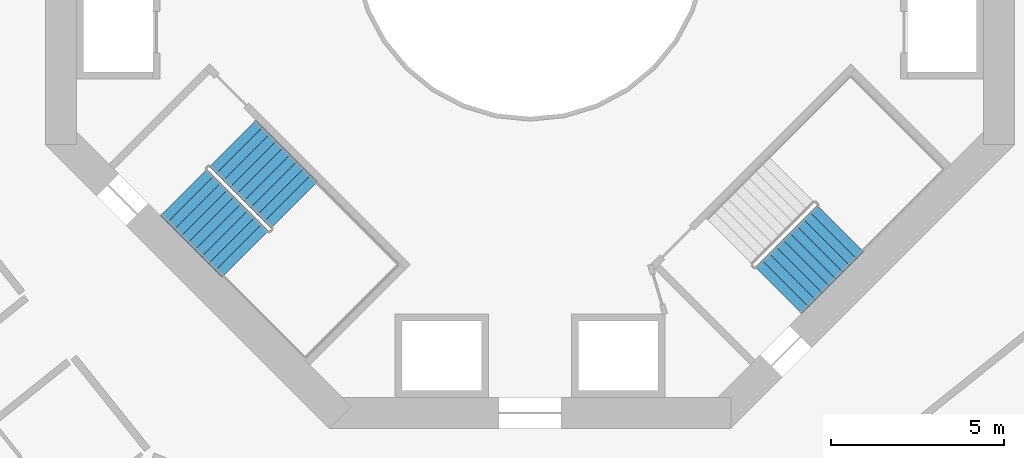
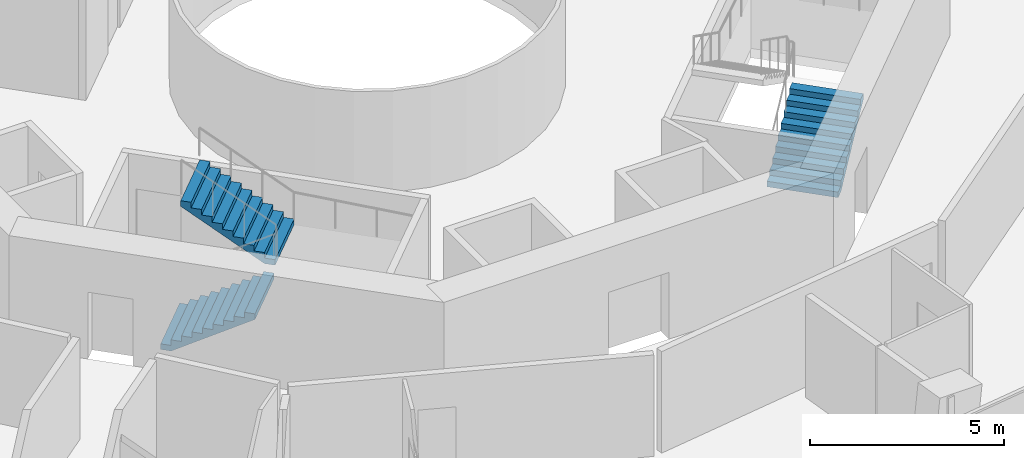
# One storey, part 26 of 28: 3 stair flights, 2 elements without a shape of their own.
"""IFC4 building model written with IfcOpenShell, lengths in metres."""

from ifc_helpers import new_model, si_unit, direction, frame, origin, place, context, subcontext, project, spatial, triangles, material, type_object, element, aggregate, save


model = new_model("IFC4")

# Units and contexts
model_context = context("Model", 3, precision=1e-05, world=origin(), true_north=direction((0.0, 1.0)))
body_context = subcontext(model_context, "Body", "Model", "MODEL_VIEW")
ifc_project = project(units=[si_unit("LENGTHUNIT", "METRE"), si_unit("AREAUNIT", "SQUARE_METRE"), si_unit("VOLUMEUNIT", "CUBIC_METRE"), si_unit("PLANEANGLEUNIT", "RADIAN"), si_unit("MASSUNIT", "GRAM", prefix="KILO")], contexts=[model_context])

# Site, building, storey
site_placement = place(None, origin())
site = spatial("IfcSite", under=ifc_project, at=site_placement, CompositionType="ELEMENT")
building_placement = place(site_placement, origin())
building = spatial("IfcBuilding", under=site, at=building_placement, Name="Verdalira Terraces Hotel", CompositionType="ELEMENT")
storey_placement = place(building_placement, frame((0.0, 0.0, 68.0)))
storey = spatial("IfcBuildingStorey", under=building, at=storey_placement, Name="L15", CompositionType="ELEMENT", Elevation=68.0)

# Stair, stair flights
ifc_material_1 = material(Name="Concrete C40", Category="concrete")
stair_type = type_object("IfcStairType", Name="Core stair 20 risers 1900 mm wide", PredefinedType="HALF_TURN_STAIR", material=ifc_material_1)
stair_1_placement = place(storey_placement, origin())
stair_1 = element("IfcStair", 1, at=stair_1_placement, inside=storey, type_object=stair_type, Name="L15 Exit stair ST2", PredefinedType="HALF_TURN_STAIR")
ifc_material_2 = material(Name="Concrete C40", Category="concrete")
stair_flight_type = type_object("IfcStairFlightType", Name="Core stair flight 20 risers 1900 mm wide", PredefinedType="STRAIGHT", material=ifc_material_2)
stair_flight_1_placement = place(storey_placement, frame((-10.005615, -7.177246, 0.0), z_axis=(0.0, 0.0, 1.0), x_axis=(0.707106781, -0.707106781, 0.0)))
stair_flight_1 = element("IfcStairFlight", 2, at=stair_flight_1_placement, type_object=stair_flight_type, Name="ST2 flight 1", NumberOfRisers=10, NumberOfTreads=9, PredefinedType="STRAIGHT", RiserHeight=0.175, TreadLength=0.28, context=body_context, shape_type="Tessellation", body=[
    triangles([(0.0, 0.949951, 0.0), (0.282715, 0.949951, 0.0), (2.52002, 0.949951, 1.398193), (0.0, -0.949951, 0.0), (0.282715, -0.949951, 0.0), (2.52002, -0.949951, 1.398193), (2.52002, 0.949951, 1.574951), (2.23999, 0.949951, 1.574951), (2.52002, -0.949951, 1.574951), (2.23999, -0.949951, 1.574951), (2.23999, 0.949951, 1.399902), (2.23999, -0.949951, 1.399902), (1.959961, 0.949951, 1.399902), (1.959961, -0.949951, 1.399902), (1.959961, 0.949951, 1.225098), (1.959961, -0.949951, 1.225098), (1.679932, 0.949951, 1.225098), (1.679932, 0.949951, 1.050049), (1.679932, -0.949951, 1.225098), (1.679932, -0.949951, 1.050049), (1.399902, 0.949951, 1.050049), (1.399902, 0.949951, 0.875), (1.399902, -0.949951, 1.050049), (1.399902, -0.949951, 0.875), (1.120117, 0.949951, 0.875), (1.120117, 0.949951, 0.699951), (1.120117, -0.949951, 0.875), (1.120117, -0.949951, 0.699951), (0.840088, 0.949951, 0.699951), (0.840088, 0.949951, 0.524902), (0.840088, -0.949951, 0.699951), (0.840088, -0.949951, 0.524902), (0.560059, 0.949951, 0.524902), (0.560059, 0.949951, 0.350098), (0.560059, -0.949951, 0.524902), (0.560059, -0.949951, 0.350098), (0.280029, 0.949951, 0.350098), (0.280029, 0.949951, 0.175049), (0.280029, -0.949951, 0.350098), (0.280029, -0.949951, 0.175049), (0.0, 0.949951, 0.175049), (0.0, -0.949951, 0.175049), (0.0, -0.890579, 0.0), (0.0, -0.890579, 0.175049), (0.0, -0.831207, 0.0), (0.0, -0.831207, 0.175049), (0.0, -0.771835, 0.0), (0.0, -0.771835, 0.175049), (0.0, -0.712463, 0.0), (0.0, -0.712463, 0.175049), (0.0, -0.653091, 0.0), (0.0, -0.653091, 0.175049), (0.0, -0.593719, 0.0), (0.0, -0.593719, 0.175049), (0.0, -0.534348, 0.0), (0.0, -0.534348, 0.175049), (0.0, -0.474976, 0.0), (0.0, -0.474976, 0.175049), (0.0, -0.415604, 0.0), (0.0, -0.415604, 0.175049), (0.0, -0.356232, 0.0), (0.0, -0.356232, 0.175049), (0.0, -0.29686, 0.0), (0.0, -0.29686, 0.175049), (0.0, -0.237488, 0.0), (0.0, -0.237488, 0.175049), (0.0, -0.178116, 0.0), (0.0, -0.178116, 0.175049), (0.0, -0.118744, 0.0), (0.0, -0.118744, 0.175049), (0.0, -0.059372, 0.0), (0.0, -0.059372, 0.175049), (0.0, 0.0, 0.0), (0.0, 0.0, 0.175049), (0.0, 0.059372, 0.0), (0.0, 0.059372, 0.175049), (0.0, 0.118744, 0.0), (0.0, 0.118744, 0.175049), (0.0, 0.178116, 0.0), (0.0, 0.178116, 0.175049), (0.0, 0.237488, 0.0), (0.0, 0.237488, 0.175049), (0.0, 0.29686, 0.0), (0.0, 0.29686, 0.175049), (0.0, 0.356232, 0.0), (0.0, 0.356232, 0.175049), (0.0, 0.415604, 0.0), (0.0, 0.415604, 0.175049), (0.0, 0.474976, 0.0), (0.0, 0.474976, 0.175049), (0.0, 0.534348, 0.0), (0.0, 0.534348, 0.175049), (0.0, 0.593719, 0.0), (0.0, 0.593719, 0.175049), (0.0, 0.653091, 0.0), (0.0, 0.653091, 0.175049), (0.0, 0.712463, 0.0), (0.0, 0.712463, 0.175049), (0.0, 0.771835, 0.0), (0.0, 0.771835, 0.175049), (0.0, 0.831207, 0.0), (0.0, 0.831207, 0.175049), (0.0, 0.890579, 0.0), (0.0, 0.890579, 0.175049), (2.52002, -0.890579, 1.574951), (2.52002, -0.831207, 1.574951), (2.52002, -0.771835, 1.574951), (2.52002, -0.712463, 1.574951), (2.52002, -0.653091, 1.574951), (2.52002, -0.593719, 1.574951), (2.52002, -0.534348, 1.574951), (2.52002, -0.474976, 1.574951), (2.52002, -0.415604, 1.574951), (2.52002, -0.356232, 1.574951), (2.52002, -0.29686, 1.574951), (2.52002, -0.237488, 1.574951), (2.52002, -0.178116, 1.574951), (2.52002, -0.118744, 1.574951), (2.52002, -0.059372, 1.574951), (2.52002, 0.0, 1.574951), (2.52002, 0.059372, 1.574951), (2.52002, 0.118744, 1.574951), (2.52002, 0.178116, 1.574951), (2.52002, 0.237488, 1.574951), (2.52002, 0.29686, 1.574951), (2.52002, 0.356232, 1.574951), (2.52002, 0.415604, 1.574951), (2.52002, 0.474976, 1.574951), (2.52002, 0.534348, 1.574951), (2.52002, 0.593719, 1.574951), (2.52002, 0.653091, 1.574951), (2.52002, 0.712463, 1.574951), (2.52002, 0.771835, 1.574951), (2.52002, 0.831207, 1.574951), (2.52002, 0.890579, 1.574951), (2.52002, -0.890579, 1.398193), (2.52002, -0.831207, 1.398193), (2.52002, -0.771835, 1.398193), (2.52002, -0.712463, 1.398193), (2.52002, -0.653091, 1.398193), (2.52002, -0.593719, 1.398193), (2.52002, -0.534348, 1.398193), (2.52002, -0.474976, 1.398193), (2.52002, -0.415604, 1.398193), (2.52002, -0.356232, 1.398193), (2.52002, -0.29686, 1.398193), (2.52002, -0.237488, 1.398193), (2.52002, -0.178116, 1.398193), (2.52002, -0.118744, 1.398193), (2.52002, -0.059372, 1.398193), (2.52002, 0.0, 1.398193), (2.52002, 0.059372, 1.398193), (2.52002, 0.118744, 1.398193), (2.52002, 0.178116, 1.398193), (2.52002, 0.237488, 1.398193), (2.52002, 0.29686, 1.398193), (2.52002, 0.356232, 1.398193), (2.52002, 0.415604, 1.398193), (2.52002, 0.474976, 1.398193), (2.52002, 0.534348, 1.398193), (2.52002, 0.593719, 1.398193), (2.52002, 0.653091, 1.398193), (2.52002, 0.712463, 1.398193), (2.52002, 0.771835, 1.398193), (2.52002, 0.831207, 1.398193), (2.52002, 0.890579, 1.398193)], [[1, 3, 2], [4, 5, 6], [3, 8, 7], [6, 9, 10], [3, 11, 8], [6, 10, 12], [3, 13, 11], [6, 12, 14], [3, 15, 13], [6, 14, 16], [15, 18, 17], [16, 19, 20], [3, 18, 15], [6, 16, 20], [18, 22, 21], [20, 23, 24], [3, 22, 18], [6, 20, 24], [22, 26, 25], [24, 27, 28], [3, 26, 22], [6, 24, 28], [26, 30, 29], [28, 31, 32], [3, 30, 26], [6, 28, 32], [1, 30, 3], [4, 6, 32], [30, 34, 33], [32, 35, 36], [34, 38, 37], [36, 39, 40], [30, 38, 34], [32, 36, 40], [1, 38, 30], [4, 32, 40], [38, 1, 41], [40, 42, 4], [4, 44, 43], [4, 42, 44], [43, 46, 45], [43, 44, 46], [45, 48, 47], [45, 46, 48], [47, 50, 49], [47, 48, 50], [49, 52, 51], [49, 50, 52], [51, 54, 53], [51, 52, 54], [53, 56, 55], [53, 54, 56], [55, 58, 57], [55, 56, 58], [57, 60, 59], [57, 58, 60], [59, 62, 61], [59, 60, 62], [61, 64, 63], [61, 62, 64], [63, 66, 65], [63, 64, 66], [65, 68, 67], [65, 66, 68], [67, 70, 69], [67, 68, 70], [69, 72, 71], [69, 70, 72], [71, 74, 73], [71, 72, 74], [73, 76, 75], [73, 74, 76], [75, 78, 77], [75, 76, 78], [77, 80, 79], [77, 78, 80], [79, 82, 81], [79, 80, 82], [81, 84, 83], [81, 82, 84], [83, 86, 85], [83, 84, 86], [85, 88, 87], [85, 86, 88], [87, 90, 89], [87, 88, 90], [89, 92, 91], [89, 90, 92], [91, 94, 93], [91, 92, 94], [93, 96, 95], [93, 94, 96], [95, 98, 97], [95, 96, 98], [97, 100, 99], [97, 98, 100], [99, 102, 101], [99, 100, 102], [101, 104, 103], [101, 102, 104], [103, 41, 1], [103, 104, 41], [42, 40, 44], [44, 40, 46], [46, 40, 48], [48, 40, 50], [50, 40, 52], [52, 40, 54], [54, 40, 56], [56, 40, 58], [58, 40, 60], [60, 40, 62], [62, 40, 64], [64, 40, 66], [66, 40, 68], [68, 40, 70], [70, 40, 72], [72, 40, 74], [74, 40, 76], [76, 40, 78], [78, 40, 80], [80, 40, 82], [82, 40, 84], [84, 40, 86], [86, 40, 88], [88, 40, 90], [90, 40, 92], [92, 40, 94], [94, 40, 96], [96, 40, 98], [98, 40, 100], [100, 40, 102], [102, 40, 104], [104, 40, 41], [41, 40, 38], [40, 37, 38], [40, 39, 37], [39, 34, 37], [39, 36, 34], [36, 33, 34], [36, 35, 33], [35, 30, 33], [35, 32, 30], [32, 29, 30], [32, 31, 29], [31, 26, 29], [31, 28, 26], [28, 25, 26], [28, 27, 25], [27, 22, 25], [27, 24, 22], [24, 21, 22], [24, 23, 21], [23, 18, 21], [23, 20, 18], [20, 17, 18], [20, 19, 17], [19, 15, 17], [19, 16, 15], [16, 13, 15], [16, 14, 13], [14, 11, 13], [14, 12, 11], [12, 8, 11], [12, 10, 8], [9, 105, 10], [105, 106, 10], [106, 107, 10], [107, 108, 10], [108, 109, 10], [109, 110, 10], [110, 111, 10], [111, 112, 10], [112, 113, 10], [113, 114, 10], [114, 115, 10], [115, 116, 10], [116, 117, 10], [117, 118, 10], [118, 119, 10], [119, 120, 10], [120, 121, 10], [121, 122, 10], [122, 123, 10], [123, 124, 10], [124, 125, 10], [125, 126, 10], [126, 127, 10], [127, 128, 10], [128, 129, 10], [129, 130, 10], [130, 131, 10], [131, 132, 10], [132, 133, 10], [133, 134, 10], [134, 135, 10], [135, 7, 10], [7, 8, 10], [9, 136, 105], [9, 6, 136], [105, 137, 106], [105, 136, 137], [106, 138, 107], [106, 137, 138], [107, 139, 108], [107, 138, 139], [108, 140, 109], [108, 139, 140], [109, 141, 110], [109, 140, 141], [110, 142, 111], [110, 141, 142], [111, 143, 112], [111, 142, 143], [112, 144, 113], [112, 143, 144], [113, 145, 114], [113, 144, 145], [114, 146, 115], [114, 145, 146], [115, 147, 116], [115, 146, 147], [116, 148, 117], [116, 147, 148], [117, 149, 118], [117, 148, 149], [118, 150, 119], [118, 149, 150], [119, 151, 120], [119, 150, 151], [120, 152, 121], [120, 151, 152], [121, 153, 122], [121, 152, 153], [122, 154, 123], [122, 153, 154], [123, 155, 124], [123, 154, 155], [124, 156, 125], [124, 155, 156], [125, 157, 126], [125, 156, 157], [126, 158, 127], [126, 157, 158], [127, 159, 128], [127, 158, 159], [128, 160, 129], [128, 159, 160], [129, 161, 130], [129, 160, 161], [130, 162, 131], [130, 161, 162], [131, 163, 132], [131, 162, 163], [132, 164, 133], [132, 163, 164], [133, 165, 134], [133, 164, 165], [134, 166, 135], [134, 165, 166], [135, 3, 7], [135, 166, 3], [6, 5, 136], [136, 5, 137], [137, 5, 138], [138, 5, 139], [139, 5, 140], [140, 5, 141], [141, 5, 142], [142, 5, 143], [143, 5, 144], [144, 5, 145], [145, 5, 146], [146, 5, 147], [147, 5, 148], [148, 5, 149], [149, 5, 150], [150, 5, 151], [151, 5, 152], [152, 5, 153], [153, 5, 154], [154, 5, 155], [155, 5, 156], [156, 5, 157], [157, 5, 158], [158, 5, 159], [159, 5, 160], [160, 5, 161], [161, 5, 162], [162, 5, 163], [163, 5, 164], [164, 5, 165], [165, 5, 166], [166, 5, 3], [3, 5, 2], [4, 43, 5], [43, 45, 5], [45, 47, 5], [47, 49, 5], [49, 51, 5], [51, 53, 5], [53, 55, 5], [55, 57, 5], [57, 59, 5], [59, 61, 5], [61, 63, 5], [63, 65, 5], [65, 67, 5], [67, 69, 5], [69, 71, 5], [71, 73, 5], [73, 75, 5], [75, 77, 5], [77, 79, 5], [79, 81, 5], [81, 83, 5], [83, 85, 5], [85, 87, 5], [87, 89, 5], [89, 91, 5], [91, 93, 5], [93, 95, 5], [95, 97, 5], [97, 99, 5], [99, 101, 5], [101, 103, 5], [103, 1, 5], [1, 2, 5]], closed=True),
])
stair_flight_2_placement = place(storey_placement, frame((-6.809326, -7.544922, 1.75), z_axis=(0.0, 0.0, 1.0), x_axis=(-0.707106781, 0.707106781, 0.0)))
stair_flight_2 = element("IfcStairFlight", 3, at=stair_flight_2_placement, type_object=stair_flight_type, Name="ST2 flight 2", NumberOfRisers=10, NumberOfTreads=9, PredefinedType="STRAIGHT", RiserHeight=0.175, TreadLength=0.28, context=body_context, shape_type="Tessellation", body=[
    triangles([(0.0, 0.949951, 0.0), (0.282715, 0.949951, 0.0), (2.52002, 0.949951, 1.398193), (0.0, -0.949951, 0.0), (0.282715, -0.949951, 0.0), (2.52002, -0.949951, 1.398193), (2.52002, 0.949951, 1.574951), (2.23999, 0.949951, 1.574951), (2.52002, -0.949951, 1.574951), (2.23999, -0.949951, 1.574951), (2.23999, 0.949951, 1.399902), (2.23999, -0.949951, 1.399902), (1.959961, 0.949951, 1.399902), (1.959961, -0.949951, 1.399902), (1.959961, 0.949951, 1.225098), (1.959961, -0.949951, 1.225098), (1.679932, 0.949951, 1.225098), (1.679932, 0.949951, 1.050049), (1.679932, -0.949951, 1.225098), (1.679932, -0.949951, 1.050049), (1.399902, 0.949951, 1.050049), (1.399902, 0.949951, 0.875), (1.399902, -0.949951, 1.050049), (1.399902, -0.949951, 0.875), (1.120117, 0.949951, 0.875), (1.120117, 0.949951, 0.699951), (1.120117, -0.949951, 0.875), (1.120117, -0.949951, 0.699951), (0.840088, 0.949951, 0.699951), (0.840088, 0.949951, 0.524902), (0.840088, -0.949951, 0.699951), (0.840088, -0.949951, 0.524902), (0.560059, 0.949951, 0.524902), (0.560059, 0.949951, 0.350098), (0.560059, -0.949951, 0.524902), (0.560059, -0.949951, 0.350098), (0.280029, 0.949951, 0.350098), (0.280029, 0.949951, 0.175049), (0.280029, -0.949951, 0.350098), (0.280029, -0.949951, 0.175049), (0.0, 0.949951, 0.175049), (0.0, -0.949951, 0.175049), (0.0, -0.890579, 0.0), (0.0, -0.890579, 0.175049), (0.0, -0.831207, 0.0), (0.0, -0.831207, 0.175049), (0.0, -0.771835, 0.0), (0.0, -0.771835, 0.175049), (0.0, -0.712463, 0.0), (0.0, -0.712463, 0.175049), (0.0, -0.653091, 0.0), (0.0, -0.653091, 0.175049), (0.0, -0.593719, 0.0), (0.0, -0.593719, 0.175049), (0.0, -0.534348, 0.0), (0.0, -0.534348, 0.175049), (0.0, -0.474976, 0.0), (0.0, -0.474976, 0.175049), (0.0, -0.415604, 0.0), (0.0, -0.415604, 0.175049), (0.0, -0.356232, 0.0), (0.0, -0.356232, 0.175049), (0.0, -0.29686, 0.0), (0.0, -0.29686, 0.175049), (0.0, -0.237488, 0.0), (0.0, -0.237488, 0.175049), (0.0, -0.178116, 0.0), (0.0, -0.178116, 0.175049), (0.0, -0.118744, 0.0), (0.0, -0.118744, 0.175049), (0.0, -0.059372, 0.0), (0.0, -0.059372, 0.175049), (0.0, 0.0, 0.0), (0.0, 0.0, 0.175049), (0.0, 0.059372, 0.0), (0.0, 0.059372, 0.175049), (0.0, 0.118744, 0.0), (0.0, 0.118744, 0.175049), (0.0, 0.178116, 0.0), (0.0, 0.178116, 0.175049), (0.0, 0.237488, 0.0), (0.0, 0.237488, 0.175049), (0.0, 0.29686, 0.0), (0.0, 0.29686, 0.175049), (0.0, 0.356232, 0.0), (0.0, 0.356232, 0.175049), (0.0, 0.415604, 0.0), (0.0, 0.415604, 0.175049), (0.0, 0.474976, 0.0), (0.0, 0.474976, 0.175049), (0.0, 0.534348, 0.0), (0.0, 0.534348, 0.175049), (0.0, 0.593719, 0.0), (0.0, 0.593719, 0.175049), (0.0, 0.653091, 0.0), (0.0, 0.653091, 0.175049), (0.0, 0.712463, 0.0), (0.0, 0.712463, 0.175049), (0.0, 0.771835, 0.0), (0.0, 0.771835, 0.175049), (0.0, 0.831207, 0.0), (0.0, 0.831207, 0.175049), (0.0, 0.890579, 0.0), (0.0, 0.890579, 0.175049), (2.52002, -0.890579, 1.574951), (2.52002, -0.831207, 1.574951), (2.52002, -0.771835, 1.574951), (2.52002, -0.712463, 1.574951), (2.52002, -0.653091, 1.574951), (2.52002, -0.593719, 1.574951), (2.52002, -0.534348, 1.574951), (2.52002, -0.474976, 1.574951), (2.52002, -0.415604, 1.574951), (2.52002, -0.356232, 1.574951), (2.52002, -0.29686, 1.574951), (2.52002, -0.237488, 1.574951), (2.52002, -0.178116, 1.574951), (2.52002, -0.118744, 1.574951), (2.52002, -0.059372, 1.574951), (2.52002, 0.0, 1.574951), (2.52002, 0.059372, 1.574951), (2.52002, 0.118744, 1.574951), (2.52002, 0.178116, 1.574951), (2.52002, 0.237488, 1.574951), (2.52002, 0.29686, 1.574951), (2.52002, 0.356232, 1.574951), (2.52002, 0.415604, 1.574951), (2.52002, 0.474976, 1.574951), (2.52002, 0.534348, 1.574951), (2.52002, 0.593719, 1.574951), (2.52002, 0.653091, 1.574951), (2.52002, 0.712463, 1.574951), (2.52002, 0.771835, 1.574951), (2.52002, 0.831207, 1.574951), (2.52002, 0.890579, 1.574951), (2.52002, -0.890579, 1.398193), (2.52002, -0.831207, 1.398193), (2.52002, -0.771835, 1.398193), (2.52002, -0.712463, 1.398193), (2.52002, -0.653091, 1.398193), (2.52002, -0.593719, 1.398193), (2.52002, -0.534348, 1.398193), (2.52002, -0.474976, 1.398193), (2.52002, -0.415604, 1.398193), (2.52002, -0.356232, 1.398193), (2.52002, -0.29686, 1.398193), (2.52002, -0.237488, 1.398193), (2.52002, -0.178116, 1.398193), (2.52002, -0.118744, 1.398193), (2.52002, -0.059372, 1.398193), (2.52002, 0.0, 1.398193), (2.52002, 0.059372, 1.398193), (2.52002, 0.118744, 1.398193), (2.52002, 0.178116, 1.398193), (2.52002, 0.237488, 1.398193), (2.52002, 0.29686, 1.398193), (2.52002, 0.356232, 1.398193), (2.52002, 0.415604, 1.398193), (2.52002, 0.474976, 1.398193), (2.52002, 0.534348, 1.398193), (2.52002, 0.593719, 1.398193), (2.52002, 0.653091, 1.398193), (2.52002, 0.712463, 1.398193), (2.52002, 0.771835, 1.398193), (2.52002, 0.831207, 1.398193), (2.52002, 0.890579, 1.398193)], [[1, 3, 2], [4, 5, 6], [3, 8, 7], [6, 9, 10], [3, 11, 8], [6, 10, 12], [3, 13, 11], [6, 12, 14], [3, 15, 13], [6, 14, 16], [15, 18, 17], [16, 19, 20], [3, 18, 15], [6, 16, 20], [18, 22, 21], [20, 23, 24], [3, 22, 18], [6, 20, 24], [22, 26, 25], [24, 27, 28], [3, 26, 22], [6, 24, 28], [26, 30, 29], [28, 31, 32], [3, 30, 26], [6, 28, 32], [1, 30, 3], [4, 6, 32], [30, 34, 33], [32, 35, 36], [34, 38, 37], [36, 39, 40], [30, 38, 34], [32, 36, 40], [1, 38, 30], [4, 32, 40], [38, 1, 41], [40, 42, 4], [4, 44, 43], [4, 42, 44], [43, 46, 45], [43, 44, 46], [45, 48, 47], [45, 46, 48], [47, 50, 49], [47, 48, 50], [49, 52, 51], [49, 50, 52], [51, 54, 53], [51, 52, 54], [53, 56, 55], [53, 54, 56], [55, 58, 57], [55, 56, 58], [57, 60, 59], [57, 58, 60], [59, 62, 61], [59, 60, 62], [61, 64, 63], [61, 62, 64], [63, 66, 65], [63, 64, 66], [65, 68, 67], [65, 66, 68], [67, 70, 69], [67, 68, 70], [69, 72, 71], [69, 70, 72], [71, 74, 73], [71, 72, 74], [73, 76, 75], [73, 74, 76], [75, 78, 77], [75, 76, 78], [77, 80, 79], [77, 78, 80], [79, 82, 81], [79, 80, 82], [81, 84, 83], [81, 82, 84], [83, 86, 85], [83, 84, 86], [85, 88, 87], [85, 86, 88], [87, 90, 89], [87, 88, 90], [89, 92, 91], [89, 90, 92], [91, 94, 93], [91, 92, 94], [93, 96, 95], [93, 94, 96], [95, 98, 97], [95, 96, 98], [97, 100, 99], [97, 98, 100], [99, 102, 101], [99, 100, 102], [101, 104, 103], [101, 102, 104], [103, 41, 1], [103, 104, 41], [42, 40, 44], [44, 40, 46], [46, 40, 48], [48, 40, 50], [50, 40, 52], [52, 40, 54], [54, 40, 56], [56, 40, 58], [58, 40, 60], [60, 40, 62], [62, 40, 64], [64, 40, 66], [66, 40, 68], [68, 40, 70], [70, 40, 72], [72, 40, 74], [74, 40, 76], [76, 40, 78], [78, 40, 80], [80, 40, 82], [82, 40, 84], [84, 40, 86], [86, 40, 88], [88, 40, 90], [90, 40, 92], [92, 40, 94], [94, 40, 96], [96, 40, 98], [98, 40, 100], [100, 40, 102], [102, 40, 104], [104, 40, 41], [41, 40, 38], [40, 37, 38], [40, 39, 37], [39, 34, 37], [39, 36, 34], [36, 33, 34], [36, 35, 33], [35, 30, 33], [35, 32, 30], [32, 29, 30], [32, 31, 29], [31, 26, 29], [31, 28, 26], [28, 25, 26], [28, 27, 25], [27, 22, 25], [27, 24, 22], [24, 21, 22], [24, 23, 21], [23, 18, 21], [23, 20, 18], [20, 17, 18], [20, 19, 17], [19, 15, 17], [19, 16, 15], [16, 13, 15], [16, 14, 13], [14, 11, 13], [14, 12, 11], [12, 8, 11], [12, 10, 8], [9, 105, 10], [105, 106, 10], [106, 107, 10], [107, 108, 10], [108, 109, 10], [109, 110, 10], [110, 111, 10], [111, 112, 10], [112, 113, 10], [113, 114, 10], [114, 115, 10], [115, 116, 10], [116, 117, 10], [117, 118, 10], [118, 119, 10], [119, 120, 10], [120, 121, 10], [121, 122, 10], [122, 123, 10], [123, 124, 10], [124, 125, 10], [125, 126, 10], [126, 127, 10], [127, 128, 10], [128, 129, 10], [129, 130, 10], [130, 131, 10], [131, 132, 10], [132, 133, 10], [133, 134, 10], [134, 135, 10], [135, 7, 10], [7, 8, 10], [9, 136, 105], [9, 6, 136], [105, 137, 106], [105, 136, 137], [106, 138, 107], [106, 137, 138], [107, 139, 108], [107, 138, 139], [108, 140, 109], [108, 139, 140], [109, 141, 110], [109, 140, 141], [110, 142, 111], [110, 141, 142], [111, 143, 112], [111, 142, 143], [112, 144, 113], [112, 143, 144], [113, 145, 114], [113, 144, 145], [114, 146, 115], [114, 145, 146], [115, 147, 116], [115, 146, 147], [116, 148, 117], [116, 147, 148], [117, 149, 118], [117, 148, 149], [118, 150, 119], [118, 149, 150], [119, 151, 120], [119, 150, 151], [120, 152, 121], [120, 151, 152], [121, 153, 122], [121, 152, 153], [122, 154, 123], [122, 153, 154], [123, 155, 124], [123, 154, 155], [124, 156, 125], [124, 155, 156], [125, 157, 126], [125, 156, 157], [126, 158, 127], [126, 157, 158], [127, 159, 128], [127, 158, 159], [128, 160, 129], [128, 159, 160], [129, 161, 130], [129, 160, 161], [130, 162, 131], [130, 161, 162], [131, 163, 132], [131, 162, 163], [132, 164, 133], [132, 163, 164], [133, 165, 134], [133, 164, 165], [134, 166, 135], [134, 165, 166], [135, 3, 7], [135, 166, 3], [6, 5, 136], [136, 5, 137], [137, 5, 138], [138, 5, 139], [139, 5, 140], [140, 5, 141], [141, 5, 142], [142, 5, 143], [143, 5, 144], [144, 5, 145], [145, 5, 146], [146, 5, 147], [147, 5, 148], [148, 5, 149], [149, 5, 150], [150, 5, 151], [151, 5, 152], [152, 5, 153], [153, 5, 154], [154, 5, 155], [155, 5, 156], [156, 5, 157], [157, 5, 158], [158, 5, 159], [159, 5, 160], [160, 5, 161], [161, 5, 162], [162, 5, 163], [163, 5, 164], [164, 5, 165], [165, 5, 166], [166, 5, 3], [3, 5, 2], [4, 43, 5], [43, 45, 5], [45, 47, 5], [47, 49, 5], [49, 51, 5], [51, 53, 5], [53, 55, 5], [55, 57, 5], [57, 59, 5], [59, 61, 5], [61, 63, 5], [63, 65, 5], [65, 67, 5], [67, 69, 5], [69, 71, 5], [71, 73, 5], [73, 75, 5], [75, 77, 5], [77, 79, 5], [79, 81, 5], [81, 83, 5], [83, 85, 5], [85, 87, 5], [87, 89, 5], [89, 91, 5], [91, 93, 5], [93, 95, 5], [95, 97, 5], [97, 99, 5], [99, 101, 5], [101, 103, 5], [103, 1, 5], [1, 2, 5]], closed=True),
])
aggregate(stair_1, [stair_flight_1, stair_flight_2])

# Stair, stair flight
stair_2_placement = place(storey_placement, origin())
stair_2 = element("IfcStair", 4, at=stair_2_placement, inside=storey, type_object=stair_type, Name="L15 Exit stair ST3", PredefinedType="HALF_TURN_STAIR")
stair_flight_3_placement = place(storey_placement, frame((7.177246, -10.005615, 0.0), z_axis=(0.0, 0.0, 1.0), x_axis=(0.707106781, 0.707106781, 0.0)))
stair_flight_3 = element("IfcStairFlight", 5, at=stair_flight_3_placement, type_object=stair_flight_type, Name="ST3 flight 1", NumberOfRisers=10, NumberOfTreads=9, PredefinedType="STRAIGHT", RiserHeight=0.175, TreadLength=0.28, context=body_context, shape_type="Tessellation", body=[
    triangles([(0.0, 0.949951, 0.0), (0.282715, 0.949951, 0.0), (2.52002, 0.949951, 1.398193), (0.0, -0.949951, 0.0), (0.282715, -0.949951, 0.0), (2.52002, -0.949951, 1.398193), (2.52002, 0.949951, 1.574951), (2.23999, 0.949951, 1.574951), (2.52002, -0.949951, 1.574951), (2.23999, -0.949951, 1.574951), (2.23999, 0.949951, 1.399902), (2.23999, -0.949951, 1.399902), (1.959961, 0.949951, 1.399902), (1.959961, -0.949951, 1.399902), (1.959961, 0.949951, 1.225098), (1.959961, -0.949951, 1.225098), (1.679932, 0.949951, 1.225098), (1.679932, 0.949951, 1.050049), (1.679932, -0.949951, 1.225098), (1.679932, -0.949951, 1.050049), (1.399902, 0.949951, 1.050049), (1.399902, 0.949951, 0.875), (1.399902, -0.949951, 1.050049), (1.399902, -0.949951, 0.875), (1.120117, 0.949951, 0.875), (1.120117, 0.949951, 0.699951), (1.120117, -0.949951, 0.875), (1.120117, -0.949951, 0.699951), (0.840088, 0.949951, 0.699951), (0.840088, 0.949951, 0.524902), (0.840088, -0.949951, 0.699951), (0.840088, -0.949951, 0.524902), (0.560059, 0.949951, 0.524902), (0.560059, 0.949951, 0.350098), (0.560059, -0.949951, 0.524902), (0.560059, -0.949951, 0.350098), (0.280029, 0.949951, 0.350098), (0.280029, 0.949951, 0.175049), (0.280029, -0.949951, 0.350098), (0.280029, -0.949951, 0.175049), (0.0, 0.949951, 0.175049), (0.0, -0.949951, 0.175049), (0.0, -0.890579, 0.0), (0.0, -0.890579, 0.175049), (0.0, -0.831207, 0.0), (0.0, -0.831207, 0.175049), (0.0, -0.771835, 0.0), (0.0, -0.771835, 0.175049), (0.0, -0.712463, 0.0), (0.0, -0.712463, 0.175049), (0.0, -0.653091, 0.0), (0.0, -0.653091, 0.175049), (0.0, -0.593719, 0.0), (0.0, -0.593719, 0.175049), (0.0, -0.534348, 0.0), (0.0, -0.534348, 0.175049), (0.0, -0.474976, 0.0), (0.0, -0.474976, 0.175049), (0.0, -0.415604, 0.0), (0.0, -0.415604, 0.175049), (0.0, -0.356232, 0.0), (0.0, -0.356232, 0.175049), (0.0, -0.29686, 0.0), (0.0, -0.29686, 0.175049), (0.0, -0.237488, 0.0), (0.0, -0.237488, 0.175049), (0.0, -0.178116, 0.0), (0.0, -0.178116, 0.175049), (0.0, -0.118744, 0.0), (0.0, -0.118744, 0.175049), (0.0, -0.059372, 0.0), (0.0, -0.059372, 0.175049), (0.0, 0.0, 0.0), (0.0, 0.0, 0.175049), (0.0, 0.059372, 0.0), (0.0, 0.059372, 0.175049), (0.0, 0.118744, 0.0), (0.0, 0.118744, 0.175049), (0.0, 0.178116, 0.0), (0.0, 0.178116, 0.175049), (0.0, 0.237488, 0.0), (0.0, 0.237488, 0.175049), (0.0, 0.29686, 0.0), (0.0, 0.29686, 0.175049), (0.0, 0.356232, 0.0), (0.0, 0.356232, 0.175049), (0.0, 0.415604, 0.0), (0.0, 0.415604, 0.175049), (0.0, 0.474976, 0.0), (0.0, 0.474976, 0.175049), (0.0, 0.534348, 0.0), (0.0, 0.534348, 0.175049), (0.0, 0.593719, 0.0), (0.0, 0.593719, 0.175049), (0.0, 0.653091, 0.0), (0.0, 0.653091, 0.175049), (0.0, 0.712463, 0.0), (0.0, 0.712463, 0.175049), (0.0, 0.771835, 0.0), (0.0, 0.771835, 0.175049), (0.0, 0.831207, 0.0), (0.0, 0.831207, 0.175049), (0.0, 0.890579, 0.0), (0.0, 0.890579, 0.175049), (2.52002, -0.890579, 1.574951), (2.52002, -0.831207, 1.574951), (2.52002, -0.771835, 1.574951), (2.52002, -0.712463, 1.574951), (2.52002, -0.653091, 1.574951), (2.52002, -0.593719, 1.574951), (2.52002, -0.534348, 1.574951), (2.52002, -0.474976, 1.574951), (2.52002, -0.415604, 1.574951), (2.52002, -0.356232, 1.574951), (2.52002, -0.29686, 1.574951), (2.52002, -0.237488, 1.574951), (2.52002, -0.178116, 1.574951), (2.52002, -0.118744, 1.574951), (2.52002, -0.059372, 1.574951), (2.52002, 0.0, 1.574951), (2.52002, 0.059372, 1.574951), (2.52002, 0.118744, 1.574951), (2.52002, 0.178116, 1.574951), (2.52002, 0.237488, 1.574951), (2.52002, 0.29686, 1.574951), (2.52002, 0.356232, 1.574951), (2.52002, 0.415604, 1.574951), (2.52002, 0.474976, 1.574951), (2.52002, 0.534348, 1.574951), (2.52002, 0.593719, 1.574951), (2.52002, 0.653091, 1.574951), (2.52002, 0.712463, 1.574951), (2.52002, 0.771835, 1.574951), (2.52002, 0.831207, 1.574951), (2.52002, 0.890579, 1.574951), (2.52002, -0.890579, 1.398193), (2.52002, -0.831207, 1.398193), (2.52002, -0.771835, 1.398193), (2.52002, -0.712463, 1.398193), (2.52002, -0.653091, 1.398193), (2.52002, -0.593719, 1.398193), (2.52002, -0.534348, 1.398193), (2.52002, -0.474976, 1.398193), (2.52002, -0.415604, 1.398193), (2.52002, -0.356232, 1.398193), (2.52002, -0.29686, 1.398193), (2.52002, -0.237488, 1.398193), (2.52002, -0.178116, 1.398193), (2.52002, -0.118744, 1.398193), (2.52002, -0.059372, 1.398193), (2.52002, 0.0, 1.398193), (2.52002, 0.059372, 1.398193), (2.52002, 0.118744, 1.398193), (2.52002, 0.178116, 1.398193), (2.52002, 0.237488, 1.398193), (2.52002, 0.29686, 1.398193), (2.52002, 0.356232, 1.398193), (2.52002, 0.415604, 1.398193), (2.52002, 0.474976, 1.398193), (2.52002, 0.534348, 1.398193), (2.52002, 0.593719, 1.398193), (2.52002, 0.653091, 1.398193), (2.52002, 0.712463, 1.398193), (2.52002, 0.771835, 1.398193), (2.52002, 0.831207, 1.398193), (2.52002, 0.890579, 1.398193)], [[1, 3, 2], [4, 5, 6], [3, 8, 7], [6, 9, 10], [3, 11, 8], [6, 10, 12], [3, 13, 11], [6, 12, 14], [3, 15, 13], [6, 14, 16], [15, 18, 17], [16, 19, 20], [3, 18, 15], [6, 16, 20], [18, 22, 21], [20, 23, 24], [3, 22, 18], [6, 20, 24], [22, 26, 25], [24, 27, 28], [3, 26, 22], [6, 24, 28], [26, 30, 29], [28, 31, 32], [3, 30, 26], [6, 28, 32], [1, 30, 3], [4, 6, 32], [30, 34, 33], [32, 35, 36], [34, 38, 37], [36, 39, 40], [30, 38, 34], [32, 36, 40], [1, 38, 30], [4, 32, 40], [38, 1, 41], [40, 42, 4], [4, 44, 43], [4, 42, 44], [43, 46, 45], [43, 44, 46], [45, 48, 47], [45, 46, 48], [47, 50, 49], [47, 48, 50], [49, 52, 51], [49, 50, 52], [51, 54, 53], [51, 52, 54], [53, 56, 55], [53, 54, 56], [55, 58, 57], [55, 56, 58], [57, 60, 59], [57, 58, 60], [59, 62, 61], [59, 60, 62], [61, 64, 63], [61, 62, 64], [63, 66, 65], [63, 64, 66], [65, 68, 67], [65, 66, 68], [67, 70, 69], [67, 68, 70], [69, 72, 71], [69, 70, 72], [71, 74, 73], [71, 72, 74], [73, 76, 75], [73, 74, 76], [75, 78, 77], [75, 76, 78], [77, 80, 79], [77, 78, 80], [79, 82, 81], [79, 80, 82], [81, 84, 83], [81, 82, 84], [83, 86, 85], [83, 84, 86], [85, 88, 87], [85, 86, 88], [87, 90, 89], [87, 88, 90], [89, 92, 91], [89, 90, 92], [91, 94, 93], [91, 92, 94], [93, 96, 95], [93, 94, 96], [95, 98, 97], [95, 96, 98], [97, 100, 99], [97, 98, 100], [99, 102, 101], [99, 100, 102], [101, 104, 103], [101, 102, 104], [103, 41, 1], [103, 104, 41], [42, 40, 44], [44, 40, 46], [46, 40, 48], [48, 40, 50], [50, 40, 52], [52, 40, 54], [54, 40, 56], [56, 40, 58], [58, 40, 60], [60, 40, 62], [62, 40, 64], [64, 40, 66], [66, 40, 68], [68, 40, 70], [70, 40, 72], [72, 40, 74], [74, 40, 76], [76, 40, 78], [78, 40, 80], [80, 40, 82], [82, 40, 84], [84, 40, 86], [86, 40, 88], [88, 40, 90], [90, 40, 92], [92, 40, 94], [94, 40, 96], [96, 40, 98], [98, 40, 100], [100, 40, 102], [102, 40, 104], [104, 40, 41], [41, 40, 38], [40, 37, 38], [40, 39, 37], [39, 34, 37], [39, 36, 34], [36, 33, 34], [36, 35, 33], [35, 30, 33], [35, 32, 30], [32, 29, 30], [32, 31, 29], [31, 26, 29], [31, 28, 26], [28, 25, 26], [28, 27, 25], [27, 22, 25], [27, 24, 22], [24, 21, 22], [24, 23, 21], [23, 18, 21], [23, 20, 18], [20, 17, 18], [20, 19, 17], [19, 15, 17], [19, 16, 15], [16, 13, 15], [16, 14, 13], [14, 11, 13], [14, 12, 11], [12, 8, 11], [12, 10, 8], [9, 105, 10], [105, 106, 10], [106, 107, 10], [107, 108, 10], [108, 109, 10], [109, 110, 10], [110, 111, 10], [111, 112, 10], [112, 113, 10], [113, 114, 10], [114, 115, 10], [115, 116, 10], [116, 117, 10], [117, 118, 10], [118, 119, 10], [119, 120, 10], [120, 121, 10], [121, 122, 10], [122, 123, 10], [123, 124, 10], [124, 125, 10], [125, 126, 10], [126, 127, 10], [127, 128, 10], [128, 129, 10], [129, 130, 10], [130, 131, 10], [131, 132, 10], [132, 133, 10], [133, 134, 10], [134, 135, 10], [135, 7, 10], [7, 8, 10], [9, 136, 105], [9, 6, 136], [105, 137, 106], [105, 136, 137], [106, 138, 107], [106, 137, 138], [107, 139, 108], [107, 138, 139], [108, 140, 109], [108, 139, 140], [109, 141, 110], [109, 140, 141], [110, 142, 111], [110, 141, 142], [111, 143, 112], [111, 142, 143], [112, 144, 113], [112, 143, 144], [113, 145, 114], [113, 144, 145], [114, 146, 115], [114, 145, 146], [115, 147, 116], [115, 146, 147], [116, 148, 117], [116, 147, 148], [117, 149, 118], [117, 148, 149], [118, 150, 119], [118, 149, 150], [119, 151, 120], [119, 150, 151], [120, 152, 121], [120, 151, 152], [121, 153, 122], [121, 152, 153], [122, 154, 123], [122, 153, 154], [123, 155, 124], [123, 154, 155], [124, 156, 125], [124, 155, 156], [125, 157, 126], [125, 156, 157], [126, 158, 127], [126, 157, 158], [127, 159, 128], [127, 158, 159], [128, 160, 129], [128, 159, 160], [129, 161, 130], [129, 160, 161], [130, 162, 131], [130, 161, 162], [131, 163, 132], [131, 162, 163], [132, 164, 133], [132, 163, 164], [133, 165, 134], [133, 164, 165], [134, 166, 135], [134, 165, 166], [135, 3, 7], [135, 166, 3], [6, 5, 136], [136, 5, 137], [137, 5, 138], [138, 5, 139], [139, 5, 140], [140, 5, 141], [141, 5, 142], [142, 5, 143], [143, 5, 144], [144, 5, 145], [145, 5, 146], [146, 5, 147], [147, 5, 148], [148, 5, 149], [149, 5, 150], [150, 5, 151], [151, 5, 152], [152, 5, 153], [153, 5, 154], [154, 5, 155], [155, 5, 156], [156, 5, 157], [157, 5, 158], [158, 5, 159], [159, 5, 160], [160, 5, 161], [161, 5, 162], [162, 5, 163], [163, 5, 164], [164, 5, 165], [165, 5, 166], [166, 5, 3], [3, 5, 2], [4, 43, 5], [43, 45, 5], [45, 47, 5], [47, 49, 5], [49, 51, 5], [51, 53, 5], [53, 55, 5], [55, 57, 5], [57, 59, 5], [59, 61, 5], [61, 63, 5], [63, 65, 5], [65, 67, 5], [67, 69, 5], [69, 71, 5], [71, 73, 5], [73, 75, 5], [75, 77, 5], [77, 79, 5], [79, 81, 5], [81, 83, 5], [83, 85, 5], [85, 87, 5], [87, 89, 5], [89, 91, 5], [91, 93, 5], [93, 95, 5], [95, 97, 5], [97, 99, 5], [99, 101, 5], [101, 103, 5], [103, 1, 5], [1, 2, 5]], closed=True),
])
aggregate(stair_2, [stair_flight_3])

save(model, "model.ifc")
